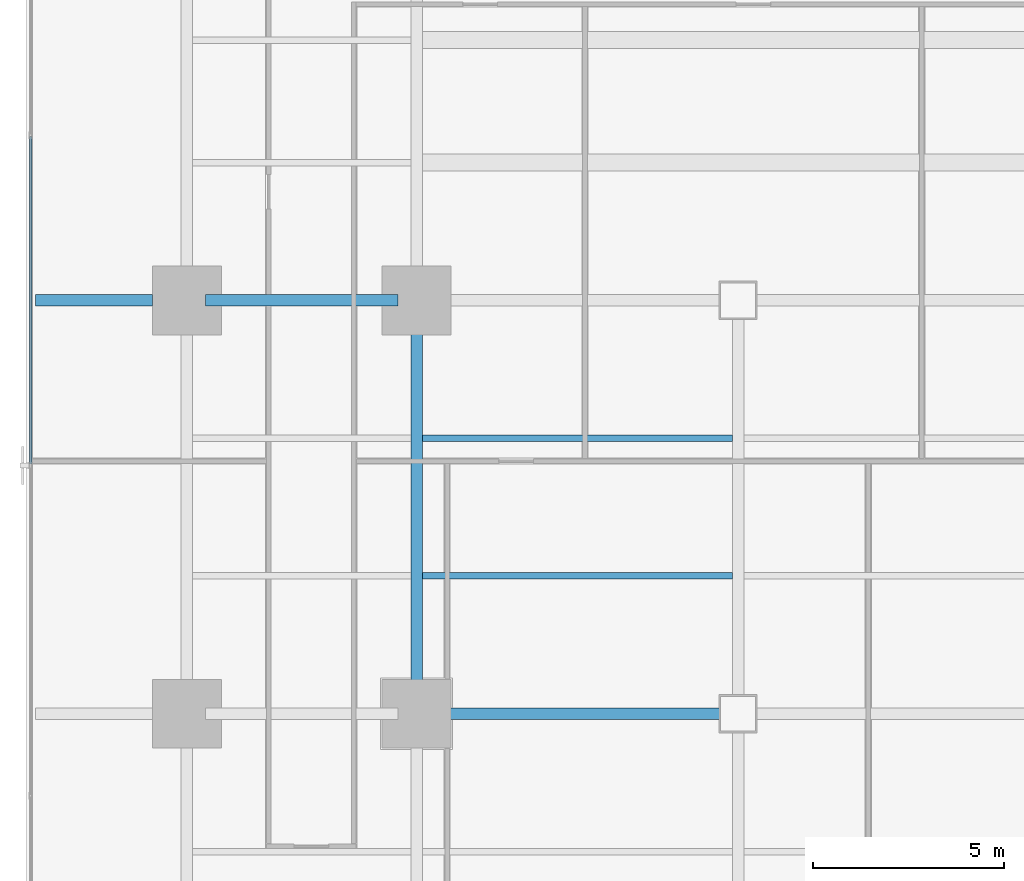
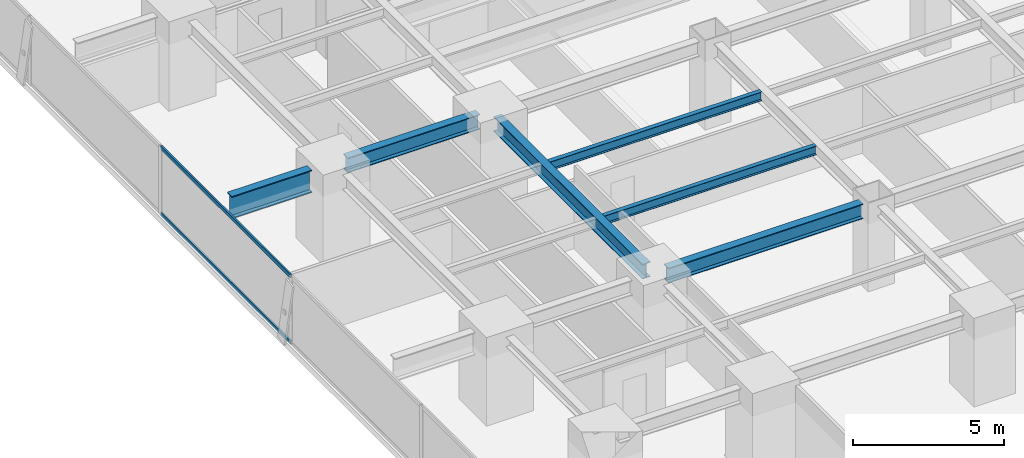
# One storey, part 8 of 33: 6 beams, 2 members, 1 element without a shape of its own.
"""IFC4 building model written with IfcOpenShell, lengths in metres."""

from ifc_helpers import new_model, si_unit, direction, frame, origin, origin_2d, place, context, subcontext, project, spatial, hollow_rectangle, i_section, extrude, source, transform, mapped, material, layer, layer_set, material_profile, profile_set, type_object, element, aggregate, save


model = new_model("IFC4")

# Units and contexts
model_context = context("Model", 3, precision=1e-05, world=origin(), true_north=direction((0.0, 1.0)))
body_context = subcontext(model_context, "Body", "Model", "MODEL_VIEW")
ifc_project = project(units=[si_unit("LENGTHUNIT", "METRE"), si_unit("AREAUNIT", "SQUARE_METRE"), si_unit("VOLUMEUNIT", "CUBIC_METRE"), si_unit("PLANEANGLEUNIT", "RADIAN"), si_unit("MASSUNIT", "GRAM", prefix="KILO")], contexts=[model_context])

# Site, building, storey
site_placement = place(None, origin())
site = spatial("IfcSite", under=ifc_project, at=site_placement, CompositionType="ELEMENT")
building_placement = place(site_placement, origin())
building = spatial("IfcBuilding", under=site, at=building_placement, Name="Sumidabori Civic Tower", CompositionType="ELEMENT")
storey_placement = place(building_placement, frame((0.0, 0.0, 30.800048828125)))
storey = spatial("IfcBuildingStorey", under=building, at=storey_placement, Name="L07", CompositionType="ELEMENT", Elevation=30.800048828125)

# Beams
ifc_material_1 = material(Name="Steel SN490", Category="steel")
ifc_material_profile_1 = material_profile(ifc_material_1, i_section(OverallWidth=0.300048828125, OverallDepth=0.60009765625, WebThickness=0.015380859375, FlangeThickness=0.030029296875, at=origin_2d()), Name="HE 600 B")
ifc_profile_set_1 = profile_set([ifc_material_profile_1], Name="Steel SN490")
beam_type_1 = type_object("IfcBeamType", Name="BM-GIRD-600", PredefinedType="BEAM", material=ifc_profile_set_1)
shared_shape_1 = source(origin(), body_context, "Body", "SweptSolid", [
    extrude(i_section(OverallWidth=0.300048828125, OverallDepth=0.60009765625, WebThickness=0.015380859375, FlangeThickness=0.030029296875, at=origin_2d()), origin(), (0.0, 0.0, 1.0), 5.0400390625),
])
beam_1_placement = place(storey_placement, frame((-22.320068359375, 0.0, 3.06005859375), z_axis=(1.0, 0.0, 0.0), x_axis=(0.0, 1.0, 0.0)))
element("IfcBeam", 1, at=beam_1_placement, inside=storey, type_object=beam_type_1, Name="Primary Girder L07 GX-13", PredefinedType="BEAM", context=body_context, shape_type="MappedRepresentation", body=[
    mapped(shared_shape_1, transform((0.0, 0.0, 0.0), x_axis=(1.0, 0.0, 0.0), y_axis=(0.0, 1.0, 0.0), z_axis=(0.0, 0.0, 1.0), scale=1.0)),
])
shared_shape_2 = source(origin(), body_context, "Body", "SweptSolid", [
    extrude(i_section(OverallWidth=0.300048828125, OverallDepth=0.60009765625, WebThickness=0.015380859375, FlangeThickness=0.030029296875, at=origin_2d()), origin(), (0.0, 0.0, 1.0), 7.440185546875),
])
beam_2_placement = place(storey_placement, frame((-16.320068359375, -10.800048828125, 3.06005859375), z_axis=(1.0, 0.0, 0.0), x_axis=(0.0, 1.0, 0.0)))
element("IfcBeam", 2, at=beam_2_placement, inside=storey, type_object=beam_type_1, Name="Primary Girder L07 GX-08", PredefinedType="BEAM", context=body_context, shape_type="MappedRepresentation", body=[
    mapped(shared_shape_2, transform((0.0, 0.0, 0.0), x_axis=(1.0, 0.0, 0.0), y_axis=(0.0, 1.0, 0.0), z_axis=(0.0, 0.0, 1.0), scale=1.0)),
])
shared_shape_3 = source(origin(), body_context, "Body", "SweptSolid", [
    extrude(i_section(OverallWidth=0.300048828125, OverallDepth=0.60009765625, WebThickness=0.015380859375, FlangeThickness=0.030029296875, at=origin_2d()), origin(), (0.0, 0.0, 1.0), 9.840087890625),
])
beam_3_placement = place(storey_placement, frame((-16.800048828125, -10.320068359375, 3.06005859375), z_axis=(0.0, 1.0, 0.0), x_axis=(-1.0, 0.0, 0.0)))
element("IfcBeam", 3, at=beam_3_placement, inside=storey, type_object=beam_type_1, Name="Primary Girder L07 GY-26", PredefinedType="BEAM", context=body_context, shape_type="MappedRepresentation", body=[
    mapped(shared_shape_3, transform((0.0, 0.0, 0.0), x_axis=(1.0, 0.0, 0.0), y_axis=(0.0, 1.0, 0.0), z_axis=(0.0, 0.0, 1.0), scale=1.0)),
])
ifc_material_profile_2 = material_profile(ifc_material_1, i_section(OverallWidth=0.302001953125, OverallDepth=0.909912109375, WebThickness=0.02099609375, FlangeThickness=0.0400390625, at=origin_2d()), Name="HE 900 M")
ifc_profile_set_2 = profile_set([ifc_material_profile_2], Name="Steel SN490")
beam_type_2 = type_object("IfcBeamType", Name="BM-Z1-EDGE", PredefinedType="SPANDREL", material=ifc_profile_set_2)
shared_shape_4 = source(origin(), body_context, "Body", "SweptSolid", [
    extrude(i_section(OverallWidth=0.302001953125, OverallDepth=0.909912109375, WebThickness=0.02099609375, FlangeThickness=0.0400390625, at=origin_2d()), origin(), (0.0, 0.0, 1.0), 3.050048828125),
])
beam_4_placement = place(storey_placement, frame((-26.75, 0.0, 2.905029296875), z_axis=(1.0, 0.0, 0.0), x_axis=(0.0, 1.0, 0.0)))
element("IfcBeam", 4, at=beam_4_placement, inside=storey, type_object=beam_type_2, Name="Perimeter Overhang Beam L07 W-46", PredefinedType="SPANDREL", context=body_context, shape_type="MappedRepresentation", body=[
    mapped(shared_shape_4, transform((0.0, 0.0, 0.0), x_axis=(1.0, 0.0, 0.0), y_axis=(0.0, 1.0, 0.0), z_axis=(0.0, 0.0, 1.0), scale=1.0)),
])
ifc_material_profile_3 = material_profile(ifc_material_1, i_section(OverallWidth=0.169921875, OverallDepth=0.360107421875, WebThickness=0.008056640625, FlangeThickness=0.0126953125, at=origin_2d()), Name="IPE 360")
ifc_profile_set_3 = profile_set([ifc_material_profile_3], Name="Steel SN490")
beam_type_3 = type_object("IfcBeamType", Name="BM-JST-360", PredefinedType="JOIST", material=ifc_profile_set_3)
shared_shape_5 = source(origin(), body_context, "Body", "SweptSolid", [
    extrude(i_section(OverallWidth=0.169921875, OverallDepth=0.360107421875, WebThickness=0.008056640625, FlangeThickness=0.0126953125, at=origin_2d()), origin(), (0.0, 0.0, 1.0), 8.099853515625),
])
for number, where, z_axis, x_axis, name in (
    (5, (-16.64990234375, -7.199951171875, 3.179931640625), (1.0, 0.0, 0.0), (0.0, 1.0, 0.0), "South Bay Floor Joist L07 JSTS-65"),
    (6, (-16.64990234375, -3.60009765625, 3.179931640625), (1.0, 0.0, 0.0), (0.0, 1.0, 0.0), "South Bay Floor Joist L07 JSTS-69"),
):
    element("IfcBeam", number, at=place(storey_placement, frame(where, z_axis=z_axis, x_axis=x_axis)), inside=storey, type_object=beam_type_3, Name=name, PredefinedType="JOIST", context=body_context, shape_type="MappedRepresentation", body=[
        mapped(shared_shape_5, transform((0.0, 0.0, 0.0), x_axis=(1.0, 0.0, 0.0), y_axis=(0.0, 1.0, 0.0), z_axis=(0.0, 0.0, 1.0), scale=1.0)),
    ])

# Curtain wall, members
ifc_material_2 = material(Name="Anodised Bronze Aluminium AW-6063-T6", Category="aluminium")
ifc_layer = layer(ifc_material_2, 0.179931640625, Name="Anodised Bronze Aluminium AW-6063-T6")
ifc_layer_set = layer_set([ifc_layer], Name="Anodised Bronze Aluminium AW-6063-T6")
curtain_wall_type = type_object("IfcCurtainWallType", Name="CW-SYS-2", PredefinedType="NOTDEFINED", material=ifc_layer_set)
curtain_wall_placement = place(storey_placement, origin())
curtain_wall = element("IfcCurtainWall", 7, at=curtain_wall_placement, inside=storey, type_object=curtain_wall_type, Name="Curtain Wall CW:L07:R10", PredefinedType="NOTDEFINED")
ifc_material_profile_4 = material_profile(ifc_material_2, hollow_rectangle(XDim=0.06494140625, YDim=0.14990234375, WallThickness=0.0048828125, at=origin_2d()), Name="ALU TRANSOM 150x65")
ifc_profile_set_4 = profile_set([ifc_material_profile_4], Name="Anodised Bronze Aluminium AW-6063-T6")
member_type = type_object("IfcMemberType", Name="CW-TRN-150", PredefinedType="USERDEFINED", material=ifc_profile_set_4)
shared_shape_6 = source(origin(), body_context, "Body", "SweptSolid", [
    extrude(hollow_rectangle(XDim=0.06494140625, YDim=0.14990234375, WallThickness=0.0048828125, at=origin_2d()), origin(), (0.0, 0.0, 1.0), 8.55810546875),
])
member_1_placement = place(storey_placement, frame((-26.8798828125, 4.279052734375, 0.032470703125), z_axis=(0.0, -1.0, 0.0), x_axis=(1.0, 0.0, 0.0)))
member_1 = element("IfcMember", 8, at=member_1_placement, type_object=member_type, Name="CW-2 transom 3.1", ObjectType="TRANSOM", PredefinedType="USERDEFINED", context=body_context, shape_type="MappedRepresentation", body=[
    mapped(shared_shape_6, transform((0.0, 0.0, 0.0), x_axis=(1.0, 0.0, 0.0), y_axis=(0.0, 1.0, 0.0), z_axis=(0.0, 0.0, 1.0), scale=1.0)),
])
member_2_placement = place(storey_placement, frame((-26.8798828125, 4.279052734375, 2.70751953125), z_axis=(0.0, -1.0, 0.0), x_axis=(1.0, 0.0, 0.0)))
member_2 = element("IfcMember", 9, at=member_2_placement, type_object=member_type, Name="CW-2 transom 3.2", ObjectType="TRANSOM", PredefinedType="USERDEFINED", context=body_context, shape_type="MappedRepresentation", body=[
    mapped(shared_shape_6, transform((0.0, 0.0, 0.0), x_axis=(1.0, 0.0, 0.0), y_axis=(0.0, 1.0, 0.0), z_axis=(0.0, 0.0, 1.0), scale=1.0)),
])
aggregate(curtain_wall, [member_1, member_2])

save(model, "model.ifc")
